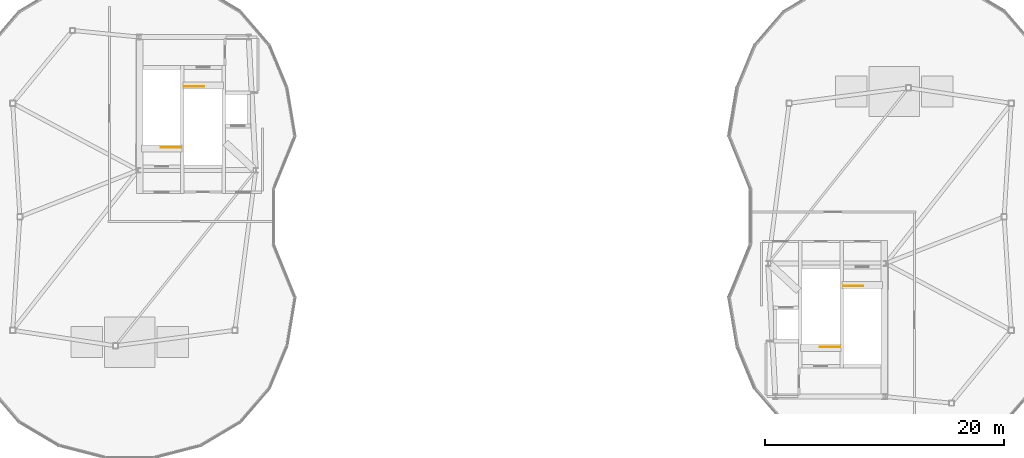
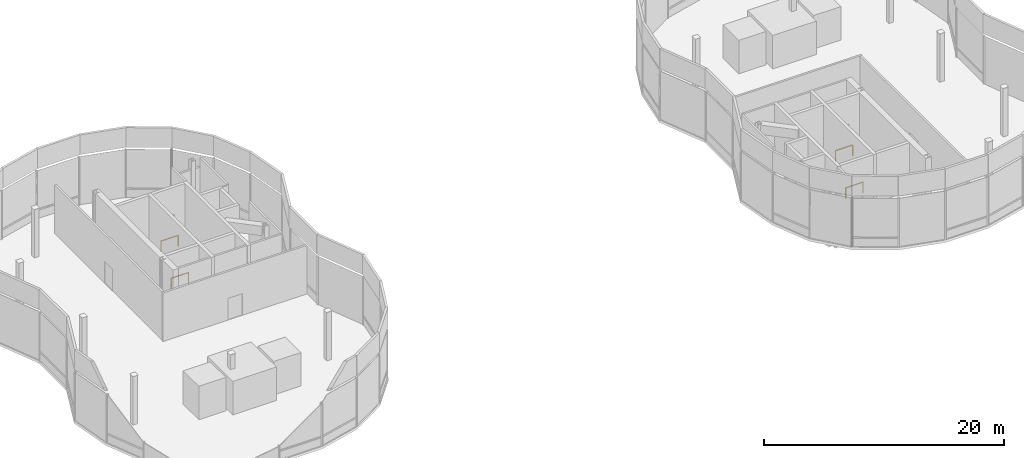
# One storey, part 14 of 14: 4 railings.
"""IFC4 building model written with IfcOpenShell, lengths in metres."""

from ifc_helpers import new_model, si_unit, direction, frame, origin, origin_2d, place, context, subcontext, project, spatial, rectangle, extrude, material, type_object, element, save


model = new_model("IFC4")

# Units and contexts
model_context = context("Model", 3, precision=1e-05, world=origin(), true_north=direction((0.0, 1.0)))
body_context = subcontext(model_context, "Body", "Model", "MODEL_VIEW")
ifc_project = project(units=[si_unit("LENGTHUNIT", "METRE"), si_unit("AREAUNIT", "SQUARE_METRE"), si_unit("VOLUMEUNIT", "CUBIC_METRE"), si_unit("PLANEANGLEUNIT", "RADIAN"), si_unit("MASSUNIT", "GRAM", prefix="KILO"), si_unit("THERMODYNAMICTEMPERATUREUNIT", "KELVIN"), si_unit("POWERUNIT", "WATT")], contexts=[model_context])

# Site, building, storey
site_placement = place(None, origin())
site = spatial("IfcSite", under=ifc_project, at=site_placement, CompositionType="ELEMENT")
building_placement = place(site_placement, origin())
building = spatial("IfcBuilding", under=site, at=building_placement, Name="Cundina Bronze Exchange", CompositionType="ELEMENT")
storey_placement = place(building_placement, frame((0.0, 0.0, 286.39990234375)))
storey = spatial("IfcBuildingStorey", under=building, at=storey_placement, Name="L76", CompositionType="ELEMENT", Elevation=286.39990234375)

# Railings
ifc_material = material(Name="Steel ASTM A36 Painted", Category="steel")
railing_type = type_object("IfcRailingType", Name="RLG-STG-1100", PredefinedType="GUARDRAIL", material=ifc_material)
railing_1_placement = place(storey_placement, frame((-27.739990234375, 5.800048828125, 0.0)))
element("IfcRailing", 1, at=railing_1_placement, inside=storey, type_object=railing_type, Name="L76 ST-W1 top well guard 1", PredefinedType="GUARDRAIL", context=body_context, shape_type="SweptSolid", body=[
    extrude(rectangle(XDim=0.048095703125, YDim=0.048095703125, at=origin_2d()), frame((0.0, 0.0, 1.076171875), z_axis=(-1.0, 0.0, 0.0), x_axis=(0.0, -1.0, 0.0)), (0.0, 0.0, 1.0), 1.659912109375),
    extrude(rectangle(XDim=0.0419921875, YDim=0.0419921875, at=origin_2d()), origin(), (0.0, 0.0, 1.0), 1.052001953125),
    extrude(rectangle(XDim=0.0419921875, YDim=0.0419921875, at=origin_2d()), frame((-1.659912109375, 0.0, 0.0)), (0.0, 0.0, 1.0), 1.052001953125),
])
for number, where, name in (
    (2, (-27.43994140625, 10.89990234375, 0.0), "L76 ST-W2 top well guard 1"),
    (3, (27.739990234375, -5.800048828125, 0.0), "L76 ST-E1 top well guard 1"),
):
    element("IfcRailing", number, at=place(storey_placement, frame(where)), inside=storey, type_object=railing_type, Name=name, PredefinedType="GUARDRAIL", context=body_context, shape_type="SweptSolid", body=[
        extrude(rectangle(XDim=0.048095703125, YDim=0.048095703125, at=origin_2d()), frame((0.0, 0.0, 1.076171875), z_axis=(1.0, 0.0, 0.0), x_axis=(0.0, 1.0, 0.0)), (0.0, 0.0, 1.0), 1.659912109375),
        extrude(rectangle(XDim=0.0419921875, YDim=0.0419921875, at=origin_2d()), origin(), (0.0, 0.0, 1.0), 1.052001953125),
        extrude(rectangle(XDim=0.0419921875, YDim=0.0419921875, at=origin_2d()), frame((1.659912109375, 0.0, 0.0)), (0.0, 0.0, 1.0), 1.052001953125),
    ])
railing_2_placement = place(storey_placement, frame((27.43994140625, -10.89990234375, 0.0)))
element("IfcRailing", 4, at=railing_2_placement, inside=storey, type_object=railing_type, Name="L76 ST-E2 top well guard 1", PredefinedType="GUARDRAIL", context=body_context, shape_type="SweptSolid", body=[
    extrude(rectangle(XDim=0.048095703125, YDim=0.048095703125, at=origin_2d()), frame((0.0, 0.0, 1.076171875), z_axis=(-1.0, 0.0, 0.0), x_axis=(0.0, -1.0, 0.0)), (0.0, 0.0, 1.0), 1.659912109375),
    extrude(rectangle(XDim=0.0419921875, YDim=0.0419921875, at=origin_2d()), origin(), (0.0, 0.0, 1.0), 1.052001953125),
    extrude(rectangle(XDim=0.0419921875, YDim=0.0419921875, at=origin_2d()), frame((-1.659912109375, 0.0, 0.0)), (0.0, 0.0, 1.0), 1.052001953125),
])

save(model, "model.ifc")
